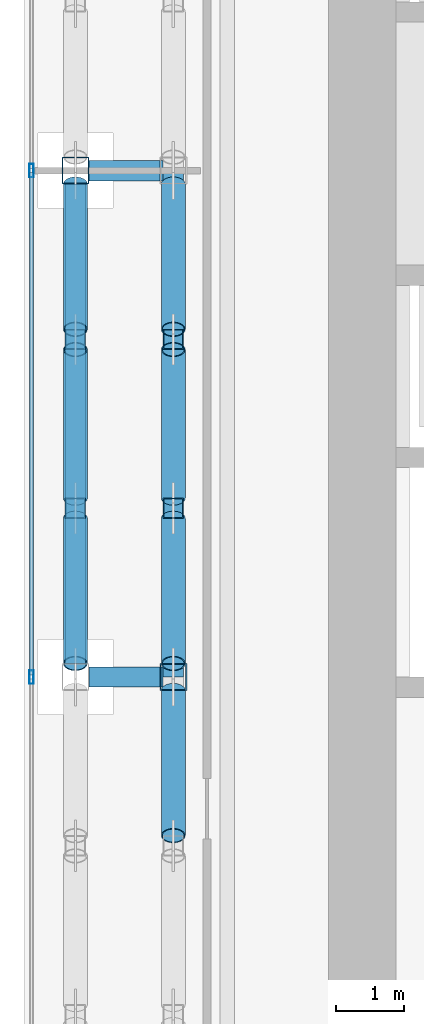
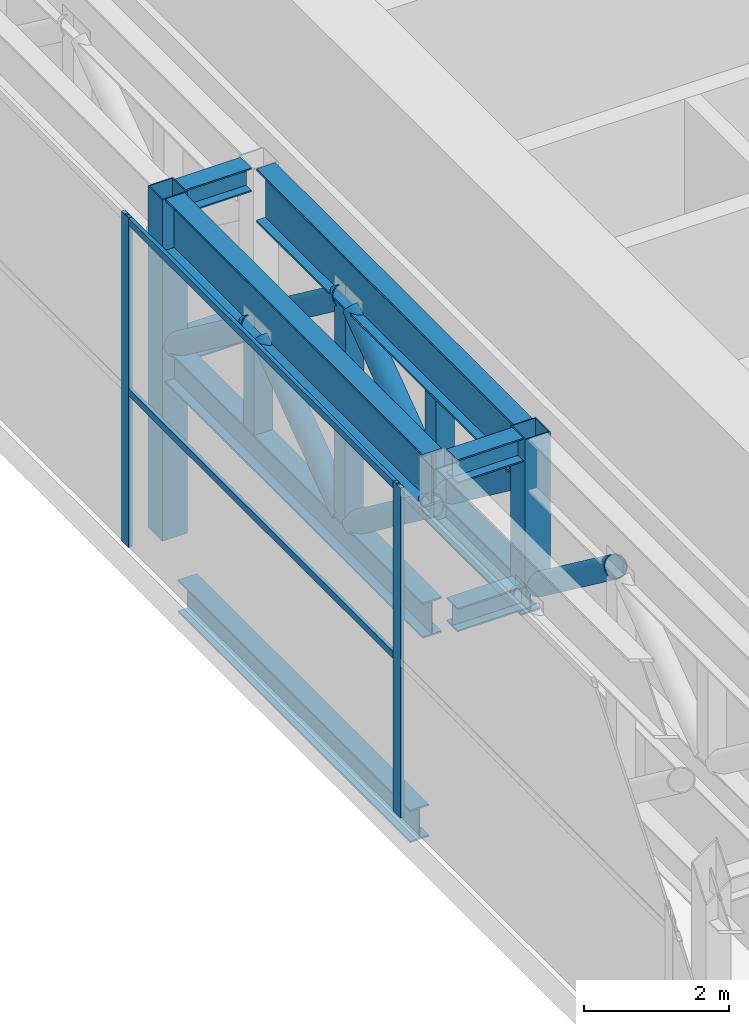
# One storey, part 7 of 47: 21 members, 5 beams, 1 element without a shape of its own.
"""IFC4 building model written with IfcOpenShell, lengths in metres."""

from ifc_helpers import new_model, si_unit, direction, frame, origin, origin_2d, place, context, subcontext, project, spatial, hollow_rectangle, hollow_circle, i_section, extrude, source, transform, mapped, material, material_profile, profile_set, type_object, element, aggregate, save


model = new_model("IFC4")

# Units and contexts
model_context = context("Model", 3, precision=1e-05, world=origin(), true_north=direction((0.0, 1.0)))
body_context = subcontext(model_context, "Body", "Model", "MODEL_VIEW")
ifc_project = project(units=[si_unit("LENGTHUNIT", "METRE"), si_unit("AREAUNIT", "SQUARE_METRE"), si_unit("VOLUMEUNIT", "CUBIC_METRE"), si_unit("PLANEANGLEUNIT", "RADIAN"), si_unit("MASSUNIT", "GRAM", prefix="KILO")], contexts=[model_context])

# Site, building, storey
site_placement = place(None, origin())
site = spatial("IfcSite", under=ifc_project, at=site_placement, CompositionType="ELEMENT")
building_placement = place(site_placement, origin())
building = spatial("IfcBuilding", under=site, at=building_placement, Name="Khomas Fold Tower", CompositionType="ELEMENT")
storey_placement = place(building_placement, frame((0.0, 0.0, 158.699951171875)))
storey = spatial("IfcBuildingStorey", under=building, at=storey_placement, Name="L34", CompositionType="ELEMENT", Elevation=158.699951171875)

# Beam
ifc_material_1 = material(Name="Steel S355", Category="steel")
ifc_material_profile_1 = material_profile(ifc_material_1, i_section(OverallWidth=0.300048828125, OverallDepth=0.550048828125, WebThickness=0.014892578125, FlangeThickness=0.029052734375, at=origin_2d()), Name="HE 550 B")
ifc_profile_set_1 = profile_set([ifc_material_profile_1], Name="Steel S355")
beam_type_1 = type_object("IfcBeamType", Name="HE 550 B spandrel SB2", PredefinedType="SPANDREL", material=ifc_profile_set_1)
shared_shape_1 = source(origin(), body_context, "Body", "SweptSolid", [
    extrude(i_section(OverallWidth=0.300048828125, OverallDepth=0.550048828125, WebThickness=0.014892578125, FlangeThickness=0.029052734375, at=origin_2d()), origin(), (0.0, 0.0, 1.0), 6.39990234375),
])
beam_placement = place(storey_placement, frame((2.25, 20.050048828125, -0.724853515625), z_axis=(0.0, 1.0, 0.0), x_axis=(-1.0, 0.0, 0.0)))
element("IfcBeam", 1, at=beam_placement, inside=storey, type_object=beam_type_1, Name="SB2", PredefinedType="SPANDREL", context=body_context, shape_type="MappedRepresentation", body=[
    mapped(shared_shape_1, transform((0.0, 0.0, 0.0))),
])

# Members
ifc_material_2 = material(Name="Steel S355", Category="steel")
ifc_material_profile_2 = material_profile(ifc_material_2, hollow_rectangle(XDim=0.300048828125, YDim=0.300048828125, WallThickness=0.012451171875, at=origin_2d()), Name="SHS 300x300x12.5")
ifc_profile_set_2 = profile_set([ifc_material_profile_2], Name="Steel S355")
member_type_1 = type_object("IfcMemberType", Name="BELT TRUSS 2 MID POST SHS 300x300x12.5", PredefinedType="POST", material=ifc_profile_set_2)
shared_shape_2 = source(origin(), body_context, "Body", "SweptSolid", [
    extrude(hollow_rectangle(XDim=0.300048828125, YDim=0.300048828125, WallThickness=0.012451171875, at=origin_2d()), origin(), (0.0, 0.0, 1.0), 1.60009765625),
])
for number, where, z_axis, x_axis, name in (
    (2, (2.25, 24.5, 3.25), (0.0, 0.0, 1.0), (1.0, 0.0, 0.0), "BT2-M"),
    (3, (2.25, 22.0, 3.25), (0.0, 0.0, 1.0), (1.0, 0.0, 0.0), "BT2-M"),
    (4, (3.699951171875, 24.5, 3.25), (0.0, 0.0, 1.0), (1.0, 0.0, 0.0), "BT2-M"),
    (5, (3.699951171875, 22.0, 3.25), (0.0, 0.0, 1.0), (1.0, 0.0, 0.0), "BT2-M"),
):
    element("IfcMember", number, at=place(storey_placement, frame(where, z_axis=z_axis, x_axis=x_axis)), inside=storey, type_object=member_type_1, Name=name, PredefinedType="POST", context=body_context, shape_type="MappedRepresentation", body=[
        mapped(shared_shape_2, transform((0.0, 0.0, 0.0))),
    ])
ifc_material_3 = material(Name="Steel S460M", Category="steel")
ifc_material_profile_3 = material_profile(ifc_material_3, i_section(OverallWidth=0.300048828125, OverallDepth=0.89990234375, WebThickness=0.0185546875, FlangeThickness=0.034912109375, at=origin_2d()), Name="HE 900 B")
ifc_profile_set_3 = profile_set([ifc_material_profile_3], Name="Steel S460M")
member_type_2 = type_object("IfcMemberType", Name="BELT TRUSS 2 TOP CHORD HE 900 B", PredefinedType="CHORD", material=ifc_profile_set_3)
shared_shape_3 = source(origin(), body_context, "Body", "SweptSolid", [
    extrude(i_section(OverallWidth=0.300048828125, OverallDepth=0.89990234375, WebThickness=0.0185546875, FlangeThickness=0.034912109375, at=origin_2d()), origin(), (0.0, 0.0, 1.0), 7.10009765625),
])
for number, where, z_axis, x_axis, name in (
    (6, (2.25, 26.800048828125, 5.300048828125), (0.0, -1.0, 0.0), (1.0, 0.0, 0.0), "BT2-CT"),
    (7, (3.699951171875, 26.800048828125, 5.300048828125), (0.0, -1.0, 0.0), (1.0, 0.0, 0.0), "BT2-CT"),
):
    element("IfcMember", number, at=place(storey_placement, frame(where, z_axis=z_axis, x_axis=x_axis)), inside=storey, type_object=member_type_2, Name=name, PredefinedType="CHORD", context=body_context, shape_type="MappedRepresentation", body=[
        mapped(shared_shape_3, transform((0.0, 0.0, 0.0))),
    ])
ifc_material_4 = material(Name="Steel S355", Category="steel")
ifc_material_profile_4 = material_profile(ifc_material_4, i_section(OverallWidth=0.300048828125, OverallDepth=0.60009765625, WebThickness=0.015380859375, FlangeThickness=0.030029296875, at=origin_2d()), Name="HE 600 B")
ifc_profile_set_4 = profile_set([ifc_material_profile_4], Name="Steel S355")
member_type_3 = type_object("IfcMemberType", Name="BELT TRUSS 2 BOTTOM CHORD HE 600 B", PredefinedType="CHORD", material=ifc_profile_set_4)
shared_shape_4 = source(origin(), body_context, "Body", "SweptSolid", [
    extrude(i_section(OverallWidth=0.300048828125, OverallDepth=0.60009765625, WebThickness=0.015380859375, FlangeThickness=0.030029296875, at=origin_2d()), origin(), (0.0, 0.0, 1.0), 7.10009765625),
])
member_1_placement = place(storey_placement, frame((2.25, 26.800048828125, 2.949951171875), z_axis=(0.0, -1.0, 0.0), x_axis=(1.0, 0.0, 0.0)))
element("IfcMember", 8, at=member_1_placement, inside=storey, type_object=member_type_3, Name="BT2-CB", PredefinedType="CHORD", context=body_context, shape_type="MappedRepresentation", body=[
    mapped(shared_shape_4, transform((0.0, 0.0, 0.0))),
])
ifc_material_5 = material(Name="Steel S355", Category="steel")
ifc_material_profile_5 = material_profile(ifc_material_5, hollow_circle(Radius=0.177734375, WallThickness=0.01611328125, at=origin_2d()), Name="CHS 355.6x16")
ifc_profile_set_5 = profile_set([ifc_material_profile_5], Name="Steel S355")
member_type_4 = type_object("IfcMemberType", Name="BELT TRUSS 2 DIAGONAL CHS 355.6x16", PredefinedType="BRACE", material=ifc_profile_set_5)
shared_shape_5 = source(origin(), body_context, "Body", "SweptSolid", [
    extrude(hollow_circle(Radius=0.177734375, WallThickness=0.01611328125, at=origin_2d()), origin(), (0.0, 0.0, 1.0), 2.68603515625),
])
for number, where, z_axis, x_axis, name in (
    (9, (2.25, 26.800048828125, 3.2451171875), (0.0, -0.800490552016, 0.599345372998), (1.0, 0.0, 0.0), "BT2-D"),
    (10, (2.25, 21.85009765625, 3.2451171875), (0.0, -0.800490552016, 0.599345372998), (1.0, 0.0, 0.0), "BT2-D"),
    (11, (3.699951171875, 26.800048828125, 3.2451171875), (0.0, -0.800490552016, 0.599345372998), (1.0, 0.0, 0.0), "BT2-D"),
    (12, (3.699951171875, 21.85009765625, 3.2451171875), (0.0, -0.800490552016, 0.599345372998), (1.0, 0.0, 0.0), "BT2-D"),
    (13, (3.699951171875, 19.300048828125, 3.2451171875), (0.0, -0.800490552016, 0.599345372998), (1.0, 0.0, 0.0), "BT2-D"),
):
    element("IfcMember", number, at=place(storey_placement, frame(where, z_axis=z_axis, x_axis=x_axis)), inside=storey, type_object=member_type_4, Name=name, PredefinedType="BRACE", context=body_context, shape_type="MappedRepresentation", body=[
        mapped(shared_shape_5, transform((0.0, 0.0, 0.0))),
    ])
shared_shape_6 = source(origin(), body_context, "Body", "SweptSolid", [
    extrude(hollow_circle(Radius=0.177734375, WallThickness=0.01611328125, at=origin_2d()), origin(), (0.0, 0.0, 1.0), 2.726318359375),
])
for number, where, z_axis, x_axis, name in (
    (14, (2.25, 24.35009765625, 4.85498046875), (0.0, -0.80703657096, -0.590501459044), (1.0, 0.0, 0.0), "BT2-D"),
    (15, (3.699951171875, 24.35009765625, 4.85498046875), (0.0, -0.80703657096, -0.590501459044), (1.0, 0.0, 0.0), "BT2-D"),
):
    element("IfcMember", number, at=place(storey_placement, frame(where, z_axis=z_axis, x_axis=x_axis)), inside=storey, type_object=member_type_4, Name=name, PredefinedType="BRACE", context=body_context, shape_type="MappedRepresentation", body=[
        mapped(shared_shape_6, transform((0.0, 0.0, 0.0))),
    ])
shared_shape_7 = source(origin(), body_context, "Body", "SweptSolid", [
    extrude(i_section(OverallWidth=0.300048828125, OverallDepth=0.60009765625, WebThickness=0.015380859375, FlangeThickness=0.030029296875, at=origin_2d()), origin(), (0.0, 0.0, 1.0), 7.5),
])
member_2_placement = place(storey_placement, frame((3.699951171875, 27.0, 2.949951171875), z_axis=(0.0, -1.0, 0.0), x_axis=(1.0, 0.0, 0.0)))
element("IfcMember", 16, at=member_2_placement, inside=storey, type_object=member_type_3, Name="BT2-CB", PredefinedType="CHORD", context=body_context, shape_type="MappedRepresentation", body=[
    mapped(shared_shape_7, transform((0.0, 0.0, 0.0))),
])
ifc_material_6 = material(Name="Steel S460M", Category="steel")
ifc_material_profile_6 = material_profile(ifc_material_6, hollow_rectangle(XDim=0.39990234375, YDim=0.39990234375, WallThickness=0.01611328125, at=origin_2d()), Name="SHS 400x400x16")
ifc_profile_set_6 = profile_set([ifc_material_profile_6], Name="Steel S460M")
member_type_5 = type_object("IfcMemberType", Name="BELT TRUSS 2 COLUMN POST SHS 400x400x16", PredefinedType="POST", material=ifc_profile_set_6)
shared_shape_8 = source(origin(), body_context, "Body", "SweptSolid", [
    extrude(hollow_rectangle(XDim=0.39990234375, YDim=0.39990234375, WallThickness=0.01611328125, at=origin_2d()), origin(), (0.0, 0.0, 1.0), 5.75),
])
member_3_placement = place(storey_placement, frame((2.25, 27.0, 0.0), z_axis=(0.0, 0.0, 1.0), x_axis=(1.0, 0.0, 0.0)))
element("IfcMember", 17, at=member_3_placement, inside=storey, type_object=member_type_5, Name="BT2-P", PredefinedType="POST", context=body_context, shape_type="MappedRepresentation", body=[
    mapped(shared_shape_8, transform((0.0, 0.0, 0.0))),
])
ifc_material_7 = material(Name="Steel S460M", Category="steel")
ifc_material_profile_7 = material_profile(ifc_material_7, hollow_rectangle(XDim=0.39990234375, YDim=0.39990234375, WallThickness=0.01611328125, at=origin_2d()), Name="SHS 400x400x16")
ifc_profile_set_7 = profile_set([ifc_material_profile_7], Name="Steel S460M")
member_type_6 = type_object("IfcMemberType", Name="BELT TRUSS 2 COLUMN POST SHORT SHS 400x400x16", PredefinedType="POST", material=ifc_profile_set_7)
shared_shape_9 = source(origin(), body_context, "Body", "SweptSolid", [
    extrude(hollow_rectangle(XDim=0.39990234375, YDim=0.39990234375, WallThickness=0.01611328125, at=origin_2d()), origin(), (0.0, 0.0, 1.0), 2.5),
])
member_4_placement = place(storey_placement, frame((3.699951171875, 19.5, 3.25), z_axis=(0.0, 0.0, 1.0), x_axis=(1.0, 0.0, 0.0)))
element("IfcMember", 18, at=member_4_placement, inside=storey, type_object=member_type_6, Name="BT2-PS", PredefinedType="POST", context=body_context, shape_type="MappedRepresentation", body=[
    mapped(shared_shape_9, transform((0.0, 0.0, 0.0))),
])

# Beams
ifc_material_8 = material(Name="Steel S355", Category="steel")
ifc_material_profile_8 = material_profile(ifc_material_8, i_section(OverallWidth=0.300048828125, OverallDepth=0.39990234375, WebThickness=0.013427734375, FlangeThickness=0.02392578125, at=origin_2d()), Name="HE 400 B")
ifc_profile_set_8 = profile_set([ifc_material_profile_8], Name="Steel S355")
beam_type_2 = type_object("IfcBeamType", Name="BELT TRUSS 2 TOP STRUT HE 400 B", PredefinedType="BEAM", material=ifc_profile_set_8)
shared_shape_10 = source(origin(), body_context, "Body", "SweptSolid", [
    extrude(i_section(OverallWidth=0.300048828125, OverallDepth=0.39990234375, WebThickness=0.013427734375, FlangeThickness=0.02392578125, at=origin_2d()), origin(), (0.0, 0.0, 1.0), 1.050048828125),
])
for number, where, z_axis, x_axis, name in (
    (19, (3.5, 19.5, 5.550048828125), (-1.0, 0.0, 0.0), (0.0, -1.0, 0.0), "BT2-ST"),
    (20, (3.5, 27.0, 5.550048828125), (-1.0, 0.0, 0.0), (0.0, -1.0, 0.0), "BT2-ST"),
):
    element("IfcBeam", number, at=place(storey_placement, frame(where, z_axis=z_axis, x_axis=x_axis)), inside=storey, type_object=beam_type_2, Name=name, PredefinedType="BEAM", context=body_context, shape_type="MappedRepresentation", body=[
        mapped(shared_shape_10, transform((0.0, 0.0, 0.0))),
    ])
ifc_material_9 = material(Name="Steel S355", Category="steel")
ifc_material_profile_9 = material_profile(ifc_material_9, i_section(OverallWidth=0.300048828125, OverallDepth=0.39990234375, WebThickness=0.013427734375, FlangeThickness=0.02392578125, at=origin_2d()), Name="HE 400 B")
ifc_profile_set_9 = profile_set([ifc_material_profile_9], Name="Steel S355")
beam_type_3 = type_object("IfcBeamType", Name="BELT TRUSS 2 BOTTOM STRUT HE 400 B", PredefinedType="BEAM", material=ifc_profile_set_9)
shared_shape_11 = source(origin(), body_context, "Body", "SweptSolid", [
    extrude(i_section(OverallWidth=0.300048828125, OverallDepth=0.39990234375, WebThickness=0.013427734375, FlangeThickness=0.02392578125, at=origin_2d()), origin(), (0.0, 0.0, 1.0), 1.10009765625),
])
for number, where, z_axis, x_axis, name in (
    (21, (3.550048828125, 19.5, 3.050048828125), (-1.0, 0.0, 0.0), (0.0, -1.0, 0.0), "BT2-SB"),
    (22, (3.550048828125, 27.0, 3.050048828125), (-1.0, 0.0, 0.0), (0.0, -1.0, 0.0), "BT2-SB"),
):
    element("IfcBeam", number, at=place(storey_placement, frame(where, z_axis=z_axis, x_axis=x_axis)), inside=storey, type_object=beam_type_3, Name=name, PredefinedType="BEAM", context=body_context, shape_type="MappedRepresentation", body=[
        mapped(shared_shape_11, transform((0.0, 0.0, 0.0))),
    ])

# Curtain wall, members
ifc_material_10 = material(Name="Aluminium framed double glazing", Category="aluminium")
curtain_wall_type = type_object("IfcCurtainWallType", Name="SK-Unitised clear-glass wall, growing floors CW1", PredefinedType="NOTDEFINED", material=ifc_material_10)
curtain_wall_placement = place(storey_placement, origin())
curtain_wall = element("IfcCurtainWall", 23, at=curtain_wall_placement, inside=storey, type_object=curtain_wall_type, Name="CW1 run L34 18-0", PredefinedType="NOTDEFINED")
ifc_material_11 = material(Name="Aluminium", Category="aluminium")
ifc_material_profile_10 = material_profile(ifc_material_11, hollow_rectangle(XDim=0.06005859375, YDim=0.1201171875, WallThickness=0.00390625, at=origin_2d()), Name="SK-Unitised clear-glass wall, growing floors transom CW1-T")
ifc_profile_set_10 = profile_set([ifc_material_profile_10], Name="Aluminium")
member_type_7 = type_object("IfcMemberType", Name="SK-Unitised clear-glass wall, growing floors transom CW1-T", PredefinedType="USERDEFINED", material=ifc_profile_set_10)
shared_shape_12 = source(origin(), body_context, "Body", "SweptSolid", [
    extrude(hollow_rectangle(XDim=0.06005859375, YDim=0.1201171875, WallThickness=0.00390625, at=origin_2d()), origin(), (0.0, 0.0, 1.0), 7.43994140625),
])
member_5_placement = place(storey_placement, frame((1.60009765625, 26.969970703125, 5.489990234375), z_axis=(0.0, -1.0, 0.0), x_axis=(1.0, 0.0, 0.0)))
member_5 = element("IfcMember", 24, at=member_5_placement, type_object=member_type_7, Name="CW1 transom 5", ObjectType="TRANSOM", PredefinedType="USERDEFINED", context=body_context, shape_type="MappedRepresentation", body=[
    mapped(shared_shape_12, transform((0.0, 0.0, 0.0))),
])
member_6_placement = place(storey_placement, frame((1.60009765625, 26.969970703125, 2.6171875), z_axis=(0.0, -1.0, 0.0), x_axis=(1.0, 0.0, 0.0)))
member_6 = element("IfcMember", 25, at=member_6_placement, type_object=member_type_7, Name="CW1 transom 5 (truss floor)", ObjectType="TRANSOM", PredefinedType="USERDEFINED", context=body_context, shape_type="MappedRepresentation", body=[
    mapped(shared_shape_12, transform((0.0, 0.0, 0.0))),
])
ifc_material_12 = material(Name="Aluminium", Category="aluminium")
ifc_material_profile_11 = material_profile(ifc_material_12, hollow_rectangle(XDim=0.06005859375, YDim=0.199951171875, WallThickness=0.00390625, at=origin_2d()), Name="SK-Unitised clear-glass wall, growing floors mullion CW1-M")
ifc_profile_set_11 = profile_set([ifc_material_profile_11], Name="Aluminium")
member_type_8 = type_object("IfcMemberType", Name="SK-Unitised clear-glass wall, growing floors mullion CW1-M", PredefinedType="MULLION", material=ifc_profile_set_11)
shared_shape_13 = source(origin(), body_context, "Body", "SweptSolid", [
    extrude(hollow_rectangle(XDim=0.06005859375, YDim=0.199951171875, WallThickness=0.00390625, at=origin_2d()), origin(), (0.0, 0.0, 1.0), 5.550048828125),
])
member_7_placement = place(storey_placement, frame((1.60009765625, 27.0, 0.0), z_axis=(0.0, 0.0, 1.0), x_axis=(1.0, 0.0, 0.0)))
member_7 = element("IfcMember", 26, at=member_7_placement, type_object=member_type_8, Name="CW1 mullion 5", PredefinedType="MULLION", context=body_context, shape_type="MappedRepresentation", body=[
    mapped(shared_shape_13, transform((0.0, 0.0, 0.0))),
])
member_8_placement = place(storey_placement, frame((1.60009765625, 19.5, 0.0), z_axis=(0.0, 0.0, 1.0), x_axis=(1.0, 0.0, 0.0)))
member_8 = element("IfcMember", 27, at=member_8_placement, type_object=member_type_8, Name="CW1 mullion 6", PredefinedType="MULLION", context=body_context, shape_type="MappedRepresentation", body=[
    mapped(shared_shape_13, transform((0.0, 0.0, 0.0))),
])
aggregate(curtain_wall, [member_7, member_8, member_5, member_6])

save(model, "model.ifc")
